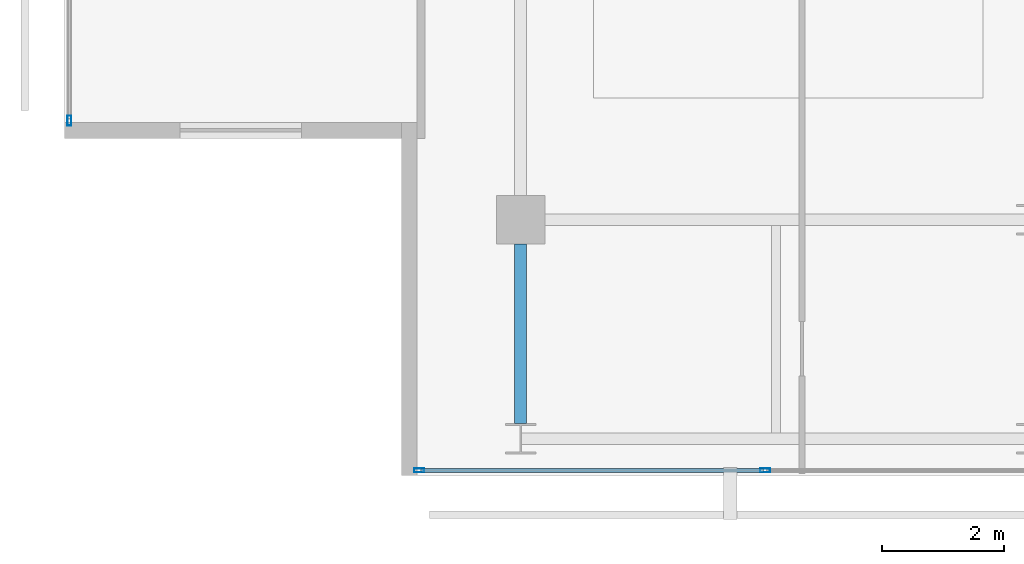
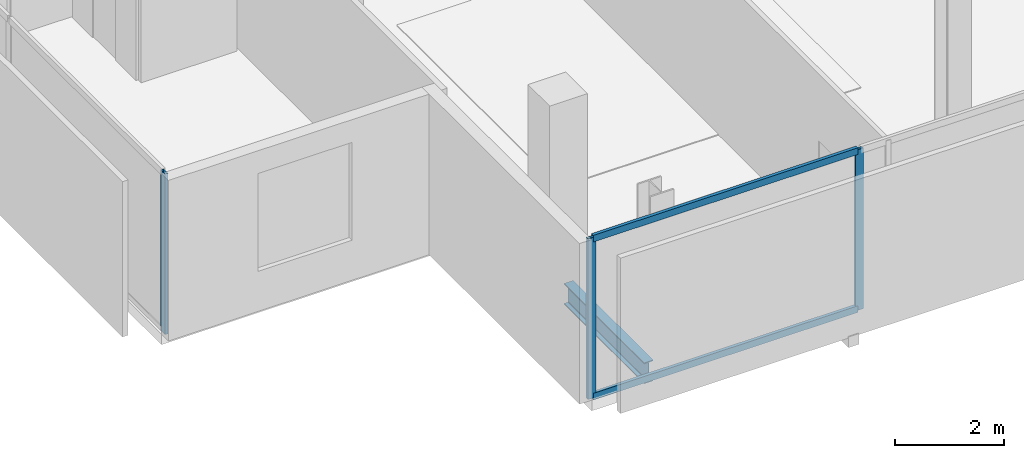
# One storey, part 2 of 23: 5 members, 1 beam, 2 elements without a shape of their own.
"""IFC4 building model written with IfcOpenShell, lengths in metres."""

from ifc_helpers import new_model, si_unit, direction, frame, origin, origin_2d, place, context, subcontext, project, spatial, hollow_rectangle, i_section, extrude, material, layer, layer_set, material_profile, profile_set, type_object, element, aggregate, save


model = new_model("IFC4")

# Units and contexts
model_context = context("Model", 3, precision=1e-05, world=origin(), true_north=direction((0.0, 1.0)))
body_context = subcontext(model_context, "Body", "Model", "MODEL_VIEW")
ifc_project = project(units=[si_unit("LENGTHUNIT", "METRE"), si_unit("AREAUNIT", "SQUARE_METRE"), si_unit("VOLUMEUNIT", "CUBIC_METRE"), si_unit("PLANEANGLEUNIT", "RADIAN"), si_unit("MASSUNIT", "GRAM", prefix="KILO")], contexts=[model_context])

# Site, building, storey
site_placement = place(None, origin())
site = spatial("IfcSite", under=ifc_project, at=site_placement, CompositionType="ELEMENT")
building_placement = place(site_placement, origin())
building = spatial("IfcBuilding", under=site, at=building_placement, Name="Maruvema Waterfront Hotel and Observation Tower", CompositionType="ELEMENT")
storey_placement = place(building_placement, frame((0.0, 0.0, 337.39990234375)))
storey = spatial("IfcBuildingStorey", under=building, at=storey_placement, Name="L83", CompositionType="ELEMENT", Elevation=337.39990234375)

# Curtain wall, members
ifc_material_1 = material(Name="Anodised bronze aluminium and solar-control low-E IGU", Category="aluminium")
ifc_layer = layer(ifc_material_1, 0.159912109375, Name="Zone 4 Sky Residence Inner Curtain Wall System CW-05")
ifc_layer_set = layer_set([ifc_layer], Name="Anodised bronze aluminium and solar-control low-E IGU")
curtain_wall_type = type_object("IfcCurtainWallType", Name="Zone 4 Sky Residence Inner Curtain Wall System CW-05", PredefinedType="USERDEFINED", material=ifc_layer_set)
curtain_wall_1_placement = place(storey_placement, origin())
curtain_wall_1 = element("IfcCurtainWall", 1, at=curtain_wall_1_placement, inside=storey, type_object=curtain_wall_type, Name="L83 Curtain Wall CW-L83-S", ObjectType="UNITISED CURTAIN WALL", PredefinedType="USERDEFINED")
ifc_material_2 = material(Name="Anodised architectural bronze aluminium", Category="aluminium")
ifc_material_profile_1 = material_profile(ifc_material_2, hollow_rectangle(XDim=0.070068359375, YDim=0.14990234375, WallThickness=0.00390625, at=origin_2d()), Name="ALU-T70x150")
ifc_profile_set_1 = profile_set([ifc_material_profile_1], Name="Anodised architectural bronze aluminium")
member_type_1 = type_object("IfcMemberType", Name="Curtain Wall Horizontal Transom ALU-T70x150", PredefinedType="USERDEFINED", material=ifc_profile_set_1)
member_1_placement = place(storey_placement, frame((23.56005859375, 13.8798828125, 0.030029296875), z_axis=(1.0, 0.0, 0.0), x_axis=(0.0, 1.0, 0.0)))
member_1 = element("IfcMember", 2, at=member_1_placement, type_object=member_type_1, Name="CW-05 transom 1.1", ObjectType="TRANSOM", PredefinedType="USERDEFINED", context=body_context, shape_type="SweptSolid", body=[
    extrude(hollow_rectangle(XDim=0.070068359375, YDim=0.14990234375, WallThickness=0.00390625, at=origin_2d()), origin(), (0.0, 0.0, 1.0), 5.6298828125),
])
member_2_placement = place(storey_placement, frame((23.56005859375, 13.8798828125, 3.580078125), z_axis=(1.0, 0.0, 0.0), x_axis=(0.0, 1.0, 0.0)))
member_2 = element("IfcMember", 3, at=member_2_placement, type_object=member_type_1, Name="CW-05 transom 1.2", ObjectType="TRANSOM", PredefinedType="USERDEFINED", context=body_context, shape_type="SweptSolid", body=[
    extrude(hollow_rectangle(XDim=0.070068359375, YDim=0.14990234375, WallThickness=0.00390625, at=origin_2d()), origin(), (0.0, 0.0, 1.0), 5.6298828125),
])
ifc_material_3 = material(Name="Anodised architectural bronze aluminium", Category="aluminium")
ifc_material_profile_2 = material_profile(ifc_material_3, hollow_rectangle(XDim=0.06494140625, YDim=0.1650390625, WallThickness=0.00390625, at=origin_2d()), Name="ALU-M65x165")
ifc_profile_set_2 = profile_set([ifc_material_profile_2], Name="Anodised architectural bronze aluminium")
member_type_2 = type_object("IfcMemberType", Name="Curtain Wall Primary Mullion ALU-M65x165", PredefinedType="MULLION", material=ifc_profile_set_2)
member_3_placement = place(storey_placement, frame((23.530029296875, 13.8798828125, 0.0), z_axis=(0.0, 0.0, 1.0), x_axis=(0.0, 1.0, 0.0)))
member_3 = element("IfcMember", 4, at=member_3_placement, type_object=member_type_2, Name="CW-05 mullion 1", PredefinedType="MULLION", context=body_context, shape_type="SweptSolid", body=[
    extrude(hollow_rectangle(XDim=0.06494140625, YDim=0.1650390625, WallThickness=0.00390625, at=origin_2d()), origin(), (0.0, 0.0, 1.0), 3.610107421875),
])
member_4_placement = place(storey_placement, frame((29.219970703125, 13.8798828125, 0.0), z_axis=(0.0, 0.0, 1.0), x_axis=(0.0, 1.0, 0.0)))
member_4 = element("IfcMember", 5, at=member_4_placement, type_object=member_type_2, Name="CW-05 mullion 2", PredefinedType="MULLION", context=body_context, shape_type="SweptSolid", body=[
    extrude(hollow_rectangle(XDim=0.06494140625, YDim=0.1650390625, WallThickness=0.00390625, at=origin_2d()), origin(), (0.0, 0.0, 1.0), 3.610107421875),
])
aggregate(curtain_wall_1, [member_3, member_4, member_1, member_2])

# Curtain wall, member
curtain_wall_2_placement = place(storey_placement, origin())
curtain_wall_2 = element("IfcCurtainWall", 6, at=curtain_wall_2_placement, inside=storey, type_object=curtain_wall_type, Name="L83 Curtain Wall CW-L83-W", ObjectType="UNITISED CURTAIN WALL", PredefinedType="USERDEFINED")
member_5_placement = place(storey_placement, frame((17.780029296875, 19.6298828125, 0.0), z_axis=(0.0, 0.0, 1.0), x_axis=(1.0, 0.0, 0.0)))
member_5 = element("IfcMember", 7, at=member_5_placement, type_object=member_type_2, Name="CW-05 mullion 6", PredefinedType="MULLION", context=body_context, shape_type="SweptSolid", body=[
    extrude(hollow_rectangle(XDim=0.06494140625, YDim=0.1650390625, WallThickness=0.00390625, at=origin_2d()), origin(), (0.0, 0.0, 1.0), 3.610107421875),
])
aggregate(curtain_wall_2, [member_5])

# Beam
ifc_material_4 = material(Name="Steel ASTM A572 Grade 50", Category="steel")
ifc_material_profile_3 = material_profile(ifc_material_4, i_section(OverallWidth=0.194091796875, OverallDepth=0.468994140625, WebThickness=0.0126953125, FlangeThickness=0.0205078125, FilletRadius=0.014892578125, at=origin_2d()), Name="W460x106.0")
ifc_profile_set_3 = profile_set([ifc_material_profile_3], Name="Steel ASTM A572 Grade 50")
beam_type = type_object("IfcBeamType", Name="Primary Floor Girder W460x106.0", PredefinedType="BEAM", material=ifc_profile_set_3)
beam_placement = place(storey_placement, frame((25.199951171875, 14.64990234375, -0.474365234375), z_axis=(0.0, 1.0, 0.0), x_axis=(-1.0, 0.0, 0.0)))
element("IfcBeam", 8, at=beam_placement, inside=storey, type_object=beam_type, Name="L83 Floor Girder NS-03", PredefinedType="BEAM", context=body_context, shape_type="SweptSolid", body=[
    extrude(i_section(OverallWidth=0.194091796875, OverallDepth=0.468994140625, WebThickness=0.0126953125, FlangeThickness=0.0205078125, FilletRadius=0.014892578125, at=origin_2d()), origin(), (0.0, 0.0, 1.0), 2.9501953125),
])

save(model, "model.ifc")
